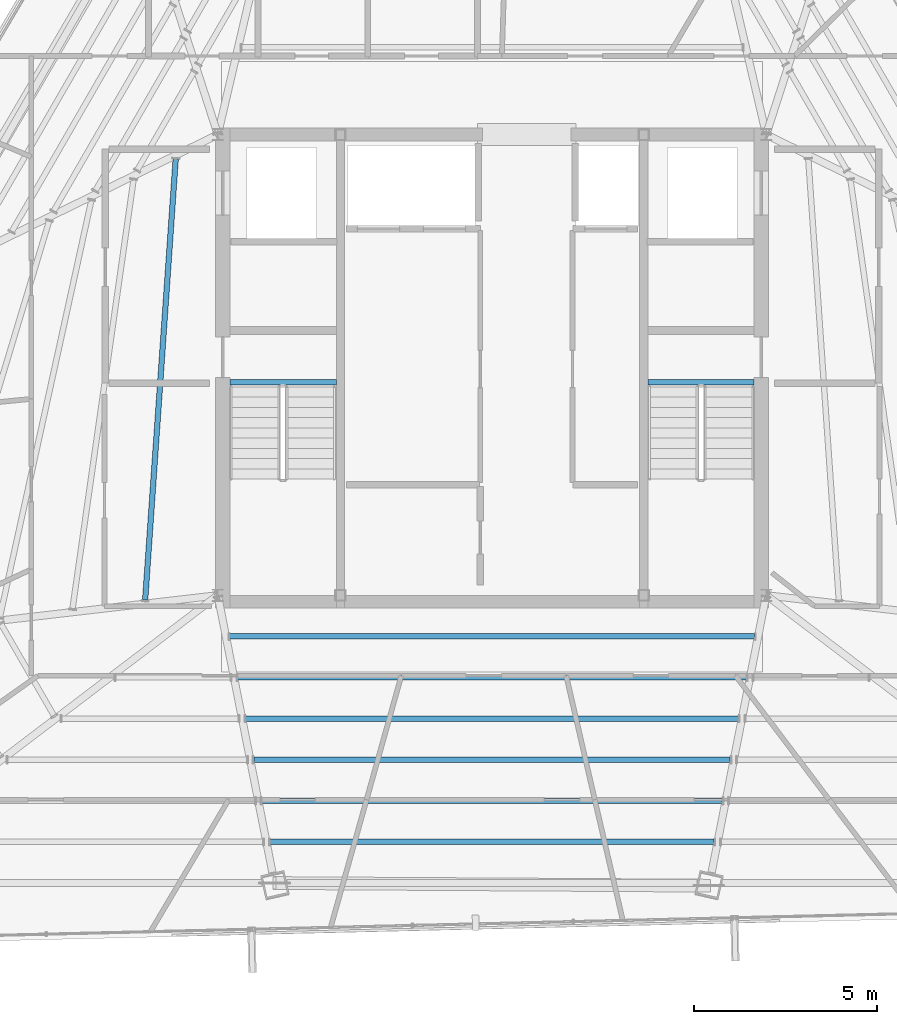
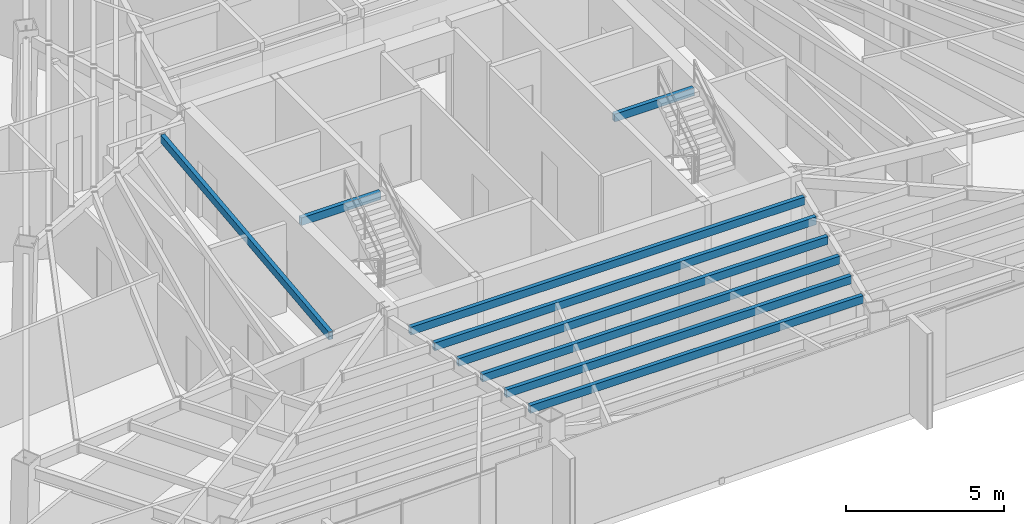
# One storey, part 14 of 45: 9 beams.
"""IFC4 building model written with IfcOpenShell, lengths in metres."""

import ifcopenshell
import ifcopenshell.guid

model = None  # the IFC model being written
_history = None  # IfcOwnerHistory: only IFC2X3 demands one
_inside = {}  # id of a spatial element -> (the spatial element, [elements in it])
_under = {}  # id of a project, library or spatial element -> (it, [spatial elements below it])
_declared = {}  # id of a project -> (the project, [libraries it declares])
_typed = {}  # id of a type object -> (the type object, [elements of that type])
_made_of = {}  # id of a material, layer set ... -> (it, [elements and type objects made of it])


def new_model(schema):
    """Start an empty IFC model of exactly this schema.

    Asked for "IFC4X3", IfcOpenShell would pick the latest addendum, in which some entities
    have other attributes; the version numbers below select the first issue.
    IFC2X3 requires an IfcOwnerHistory on every rooted entity: one is made here for all.
    """
    global model, _history
    if schema == "IFC4X3":
        model = ifcopenshell.file(schema_version=(4, 3, 0, 0))
    else:
        model = ifcopenshell.file(schema=schema)
    _inside.clear()
    _under.clear()
    _declared.clear()
    _typed.clear()
    _made_of.clear()
    _history = None
    if model.schema == "IFC2X3":
        org = make("IfcOrganization", Name="unknown")
        user = make(
            "IfcPersonAndOrganization",
            ThePerson=make("IfcPerson", FamilyName="unknown"),
            TheOrganization=org,
        )
        app = make(
            "IfcApplication",
            ApplicationDeveloper=org,
            Version="unknown",
            ApplicationFullName="unknown",
            ApplicationIdentifier="unknown",
        )
        _history = make(
            "IfcOwnerHistory",
            OwningUser=user,
            OwningApplication=app,
            ChangeAction="ADDED",
            CreationDate=0,
        )
    return model


def make(cls, **values):
    """One entity of the class cls with the attributes given. An attribute that is None is left unset."""
    return model.create_entity(
        cls, **{name: value for name, value in values.items() if value is not None}
    )


def rooted(cls, **values):
    """An entity with a GlobalId (a new one), such as an element, a storey or a relation."""
    return make(cls, GlobalId=ifcopenshell.guid.new(), OwnerHistory=_history, **values)


def si_unit(unit_type, name, prefix=None):
    """IfcSIUnit, for example si_unit("LENGTHUNIT", "METRE", prefix="MILLI")."""
    return make("IfcSIUnit", UnitType=unit_type, Prefix=prefix, Name=name)


def assignment(units):
    """IfcUnitAssignment: the units of a project."""
    return None if units is None else make("IfcUnitAssignment", Units=units)


def point(xyz):
    """IfcCartesianPoint."""
    return None if xyz is None else make("IfcCartesianPoint", Coordinates=xyz)


def direction(xyz):
    """IfcDirection."""
    return None if xyz is None else make("IfcDirection", DirectionRatios=xyz)


def frame(location, z_axis=None, x_axis=None):
    """IfcAxis2Placement3D, a coordinate frame: its origin and axes. An axis left out is left unset."""
    return make(
        "IfcAxis2Placement3D",
        Location=point(location),
        Axis=direction(z_axis),
        RefDirection=direction(x_axis),
    )


def frame_2d(location, x_axis=None):
    """IfcAxis2Placement2D, a coordinate frame in the plane: its origin and x axis."""
    return make(
        "IfcAxis2Placement2D", Location=point(location), RefDirection=direction(x_axis)
    )


def origin():
    """The frame at (0, 0, 0) with its axes left unset."""
    return frame((0.0, 0.0, 0.0))


def origin_2d():
    """The frame at (0, 0) in the plane with its x axis left unset."""
    return frame_2d((0.0, 0.0))


def place(relative_to, where):
    """IfcLocalPlacement: puts the frame where relative to a parent placement (None: the world)."""
    return make(
        "IfcLocalPlacement", PlacementRelTo=relative_to, RelativePlacement=where
    )


def context(
    kind, dimensions, precision=None, world=None, true_north=None, identifier=None
):
    """IfcGeometricRepresentationContext, for example the 3D "Model" context."""
    return make(
        "IfcGeometricRepresentationContext",
        ContextIdentifier=identifier,
        ContextType=kind,
        CoordinateSpaceDimension=dimensions,
        Precision=precision,
        WorldCoordinateSystem=world,
        TrueNorth=true_north,
    )


def subcontext(parent, identifier, kind, view, scale=None):
    """IfcGeometricRepresentationSubContext, for example "Body" below "Model"."""
    return make(
        "IfcGeometricRepresentationSubContext",
        ContextIdentifier=identifier,
        ContextType=kind,
        ParentContext=parent,
        TargetScale=scale,
        TargetView=view,
    )


def project(units=None, contexts=None):
    """IfcProject with its units and contexts."""
    return rooted(
        "IfcProject",
        Name="project",
        RepresentationContexts=contexts,
        UnitsInContext=assignment(units),
    )


def spatial(cls, under=None, at=None, **own):
    """A site, building, storey or space (cls), placed at a placement, below another one or the project."""
    s = rooted(cls, ObjectPlacement=at, **own)
    if under is not None:
        _under.setdefault(under.id(), (under, []))[1].append(s)
    return s


def profile(cls, at=None, kind="AREA", **sizes):
    """A parametric profile (cls). Its sizes go by their IFC names, for example OverallWidth=200.0."""
    return make(cls, ProfileType=kind, Position=at, **sizes)


def hollow_rectangle(**sizes):
    """IfcRectangleHollowProfileDef."""
    return profile("IfcRectangleHollowProfileDef", **sizes)


def extrude(swept, where, along, depth):
    """IfcExtrudedAreaSolid: the profile swept, set in the frame where, extruded along a direction by depth."""
    return make(
        "IfcExtrudedAreaSolid",
        SweptArea=swept,
        Position=where,
        ExtrudedDirection=direction(along),
        Depth=depth,
    )


def shape(context_of_items, identifier, shape_type, items):
    """IfcShapeRepresentation: the items that make up one representation, for example the "Body"."""
    return make(
        "IfcShapeRepresentation",
        ContextOfItems=context_of_items,
        RepresentationIdentifier=identifier,
        RepresentationType=shape_type,
        Items=items,
    )


def source(mapping_origin, context_of_items, identifier, shape_type, items):
    """IfcRepresentationMap: a shape defined once, which mapped items show again and again."""
    return make(
        "IfcRepresentationMap",
        MappingOrigin=mapping_origin,
        MappedRepresentation=shape(context_of_items, identifier, shape_type, items),
    )


def transform(
    local_origin,
    x_axis=None,
    y_axis=None,
    z_axis=None,
    scale=None,
    scale2=None,
    scale3=None,
    uniform=True,
):
    """IfcCartesianTransformationOperator3D, or its non-uniform kind. x_axis, y_axis, z_axis: its Axis1, 2, 3."""
    if uniform:
        return make(
            "IfcCartesianTransformationOperator3D",
            Axis1=direction(x_axis),
            Axis2=direction(y_axis),
            LocalOrigin=point(local_origin),
            Scale=scale,
            Axis3=direction(z_axis),
        )
    return make(
        "IfcCartesianTransformationOperator3DnonUniform",
        Axis1=direction(x_axis),
        Axis2=direction(y_axis),
        LocalOrigin=point(local_origin),
        Scale=scale,
        Axis3=direction(z_axis),
        Scale2=scale2,
        Scale3=scale3,
    )


def mapped(mapping_source, mapping_target):
    """IfcMappedItem: shows the shape of a source again, moved by a transform."""
    return make(
        "IfcMappedItem", MappingSource=mapping_source, MappingTarget=mapping_target
    )


def material(Name=None, Category=None):
    """IfcMaterial."""
    return make("IfcMaterial", Name=Name, Category=Category)


def material_profile(
    of_material, cross_section, Name=None, Category=None, Priority=None
):
    """IfcMaterialProfile: a cross section and its material."""
    return make(
        "IfcMaterialProfile",
        Name=Name,
        Material=of_material,
        Profile=cross_section,
        Priority=Priority,
        Category=Category,
    )


def profile_set(profiles, Name=None, composite=None):
    """IfcMaterialProfileSet."""
    return make(
        "IfcMaterialProfileSet",
        Name=Name,
        MaterialProfiles=profiles,
        CompositeProfile=composite,
    )


def made_of(thing, what):
    """Note that an element or type object is made of a material, layer set ...; save() writes the relation."""
    if what is not None:
        _made_of.setdefault(what.id(), (what, []))[1].append(thing)
    return thing


def type_object(cls, material=None, **own):
    """A type object (cls), such as IfcWallType, which elements share."""
    return made_of(rooted(cls, **own), material)


def type_shapes(of_type, sources):
    """Give a type object the sources (RepresentationMaps) that its elements show as mapped items."""
    of_type.RepresentationMaps = sources


def element(
    cls,
    number,
    at=None,
    inside=None,
    cuts=None,
    type_object=None,
    material=None,
    context=None,
    identifier="Body",
    shape_type=None,
    held_by="IfcProductDefinitionShape",
    body=None,
    shapes=None,
    **own,
):
    """One element of the class cls, such as IfcWall. Its Tag is "e" and its number.

    at: its placement. inside: the storey or other place that contains it. cuts: it is an
    opening in that element (IfcRelVoidsElement). A single representation is given by context,
    identifier, shape_type and body (its items); several are given by shapes. held_by: the class
    of the entity that holds the representations. save() writes the other relations.
    """
    e = rooted(cls, Tag="e%d" % number, ObjectPlacement=at, **own)
    if body is not None:
        shapes = [shape(context, identifier, shape_type, body)]
    if shapes is not None:
        e.Representation = make(held_by, Representations=shapes)
    if inside is not None:
        _inside.setdefault(inside.id(), (inside, []))[1].append(e)
    if cuts is not None:
        rooted(
            "IfcRelVoidsElement", RelatingBuildingElement=cuts, RelatedOpeningElement=e
        )
    if type_object is not None:
        _typed.setdefault(type_object.id(), (type_object, []))[1].append(e)
    return made_of(e, material)


def aggregate(whole, parts):
    """IfcRelAggregates: a whole, such as a stair, and the parts it consists of."""
    return rooted("IfcRelAggregates", RelatingObject=whole, RelatedObjects=parts)


def save(model, path):
    """Write the relations noted so far, then the file.

    IfcRelAggregates (storeys below a building ...), IfcRelContainedInSpatialStructure (elements
    in a storey), IfcRelDefinesByType, IfcRelAssociatesMaterial and IfcRelDeclares: one each for
    every whole, place, type object, material and project.
    """
    for whole, parts in _under.values():
        aggregate(whole, parts)
    for where, things in _inside.values():
        rooted(
            "IfcRelContainedInSpatialStructure",
            RelatedElements=things,
            RelatingStructure=where,
        )
    for kind, things in _typed.values():
        rooted("IfcRelDefinesByType", RelatedObjects=things, RelatingType=kind)
    for what, things in _made_of.values():
        rooted("IfcRelAssociatesMaterial", RelatedObjects=things, RelatingMaterial=what)
    for by, libraries in _declared.values():
        rooted("IfcRelDeclares", RelatingContext=by, RelatedDefinitions=libraries)
    model.write(path)


model = new_model("IFC4")

# Units and contexts
model_context = context("Model", 3, precision=1e-05, world=origin(), true_north=direction((0.0, 1.0)))
body_context = subcontext(model_context, "Body", "Model", "MODEL_VIEW")
ifc_project = project(units=[si_unit("LENGTHUNIT", "METRE"), si_unit("AREAUNIT", "SQUARE_METRE"), si_unit("VOLUMEUNIT", "CUBIC_METRE"), si_unit("PLANEANGLEUNIT", "RADIAN"), si_unit("MASSUNIT", "GRAM", prefix="KILO")], contexts=[model_context])

# Site, building, storey
site_placement = place(None, origin())
site = spatial("IfcSite", under=ifc_project, at=site_placement, CompositionType="ELEMENT")
building_placement = place(site_placement, origin())
building = spatial("IfcBuilding", under=site, at=building_placement, Name="Caelisora Broadcast Tower", CompositionType="ELEMENT")
storey_placement = place(building_placement, frame((0.0, 0.0, 262.699951171875)))
storey = spatial("IfcBuildingStorey", under=building, at=storey_placement, Name="L69", CompositionType="ELEMENT", Elevation=262.699951171875)

# Beams
ifc_material = material(Name="Steel Grade 350 (AS/NZS 1163 C350L0)", Category="steel")
ifc_material_profile = material_profile(ifc_material, hollow_rectangle(XDim=0.14990234375, YDim=0.300048828125, WallThickness=0.010009765625, at=origin_2d()), Name="Steel Grade 350 (AS/NZS 1163 C350L0)")
ifc_profile_set = profile_set([ifc_material_profile], Name="Steel Grade 350 (AS/NZS 1163 C350L0)")
beam_type = type_object("IfcBeamType", Name="SB05", PredefinedType="JOIST", material=ifc_profile_set)
shared_shape_1 = source(origin(), body_context, "Body", "SweptSolid", [
    extrude(hollow_rectangle(XDim=0.14990234375, YDim=0.300048828125, WallThickness=0.010009765625, at=origin_2d()), origin(), (0.0, 0.0, 1.0), 2.89990234375),
])
for number, where, z_axis, x_axis, name in (
    (1, (30.840087890625, 23.219970703125, 3.25), (1.0, 0.0, 0.0), (0.0, 1.0, 0.0), "L69 beam SB05"),
    (2, (42.260009765625, 23.219970703125, 3.25), (1.0, 0.0, 0.0), (0.0, 1.0, 0.0), "L69 beam SB05"),
):
    element("IfcBeam", number, at=place(storey_placement, frame(where, z_axis=z_axis, x_axis=x_axis)), inside=storey, type_object=beam_type, Name=name, PredefinedType="JOIST", context=body_context, shape_type="MappedRepresentation", body=[
        mapped(shared_shape_1, transform((0.0, 0.0, 0.0), scale=1.0)),
    ])
shared_shape_2 = source(origin(), body_context, "Body", "SweptSolid", [
    extrude(hollow_rectangle(XDim=0.14990234375, YDim=0.300048828125, WallThickness=0.010009765625, at=origin_2d()), origin(), (0.0, 0.0, 1.0), 12.090087890625),
])
beam_1_placement = place(storey_placement, frame((29.348388671875, 29.328125, 3.25), z_axis=(-0.069081378191, -0.997611028, 0.0), x_axis=(0.997611028, -0.069081378191, 0.0)))
element("IfcBeam", 3, at=beam_1_placement, inside=storey, type_object=beam_type, Name="L69 beam SB05", PredefinedType="JOIST", context=body_context, shape_type="MappedRepresentation", body=[
    mapped(shared_shape_2, transform((0.0, 0.0, 0.0), scale=1.0)),
])
shared_shape_3 = source(origin(), body_context, "Body", "SweptSolid", [
    extrude(hollow_rectangle(XDim=0.14990234375, YDim=0.300048828125, WallThickness=0.010009765625, at=origin_2d()), origin(), (0.0, 0.0, 1.0), 14.359375),
])
beam_2_placement = place(storey_placement, frame((30.8203125, 16.275634765625, 3.25), z_axis=(1.0, 0.0, 0.0), x_axis=(0.0, 1.0, 0.0)))
element("IfcBeam", 4, at=beam_2_placement, inside=storey, type_object=beam_type, Name="L69 beam SB05", PredefinedType="JOIST", context=body_context, shape_type="MappedRepresentation", body=[
    mapped(shared_shape_3, transform((0.0, 0.0, 0.0), scale=1.0)),
])
shared_shape_4 = source(origin(), body_context, "Body", "SweptSolid", [
    extrude(hollow_rectangle(XDim=0.14990234375, YDim=0.300048828125, WallThickness=0.010009765625, at=origin_2d()), origin(), (0.0, 0.0, 1.0), 13.916015625),
])
beam_3_placement = place(storey_placement, frame((31.0419921875, 15.151123046875, 3.25), z_axis=(1.0, 0.0, 0.0), x_axis=(0.0, 1.0, 0.0)))
element("IfcBeam", 5, at=beam_3_placement, inside=storey, type_object=beam_type, Name="L69 beam SB05", PredefinedType="JOIST", context=body_context, shape_type="MappedRepresentation", body=[
    mapped(shared_shape_4, transform((0.0, 0.0, 0.0), scale=1.0)),
])
shared_shape_5 = source(origin(), body_context, "Body", "SweptSolid", [
    extrude(hollow_rectangle(XDim=0.14990234375, YDim=0.300048828125, WallThickness=0.010009765625, at=origin_2d()), origin(), (0.0, 0.0, 1.0), 13.47314453125),
])
beam_4_placement = place(storey_placement, frame((31.263427734375, 14.026611328125, 3.25), z_axis=(1.0, 0.0, 0.0), x_axis=(0.0, 1.0, 0.0)))
element("IfcBeam", 6, at=beam_4_placement, inside=storey, type_object=beam_type, Name="L69 beam SB05", PredefinedType="JOIST", context=body_context, shape_type="MappedRepresentation", body=[
    mapped(shared_shape_5, transform((0.0, 0.0, 0.0), scale=1.0)),
])
shared_shape_6 = source(origin(), body_context, "Body", "SweptSolid", [
    extrude(hollow_rectangle(XDim=0.14990234375, YDim=0.300048828125, WallThickness=0.010009765625, at=origin_2d()), origin(), (0.0, 0.0, 1.0), 13.02978515625),
])
beam_5_placement = place(storey_placement, frame((31.485107421875, 12.90234375, 3.25), z_axis=(1.0, 0.0, 0.0), x_axis=(0.0, 1.0, 0.0)))
element("IfcBeam", 7, at=beam_5_placement, inside=storey, type_object=beam_type, Name="L69 beam SB05", PredefinedType="JOIST", context=body_context, shape_type="MappedRepresentation", body=[
    mapped(shared_shape_6, transform((0.0, 0.0, 0.0), scale=1.0)),
])
shared_shape_7 = source(origin(), body_context, "Body", "SweptSolid", [
    extrude(hollow_rectangle(XDim=0.14990234375, YDim=0.300048828125, WallThickness=0.010009765625, at=origin_2d()), origin(), (0.0, 0.0, 1.0), 12.5869140625),
])
beam_6_placement = place(storey_placement, frame((31.70654296875, 11.77783203125, 3.25), z_axis=(1.0, 0.0, 0.0), x_axis=(0.0, 1.0, 0.0)))
element("IfcBeam", 8, at=beam_6_placement, inside=storey, type_object=beam_type, Name="L69 beam SB05", PredefinedType="JOIST", context=body_context, shape_type="MappedRepresentation", body=[
    mapped(shared_shape_7, transform((0.0, 0.0, 0.0), scale=1.0)),
])
shared_shape_8 = source(origin(), body_context, "Body", "SweptSolid", [
    extrude(hollow_rectangle(XDim=0.14990234375, YDim=0.300048828125, WallThickness=0.010009765625, at=origin_2d()), origin(), (0.0, 0.0, 1.0), 12.14404296875),
])
type_shapes(beam_type, [shared_shape_1, shared_shape_2, shared_shape_3, shared_shape_4, shared_shape_5, shared_shape_6, shared_shape_7, shared_shape_8])
beam_7_placement = place(storey_placement, frame((31.927978515625, 10.6533203125, 3.25), z_axis=(1.0, 0.0, 0.0), x_axis=(0.0, 1.0, 0.0)))
element("IfcBeam", 9, at=beam_7_placement, inside=storey, type_object=beam_type, Name="L69 beam SB05", PredefinedType="JOIST", context=body_context, shape_type="MappedRepresentation", body=[
    mapped(shared_shape_8, transform((0.0, 0.0, 0.0), scale=1.0)),
])

save(model, "model.ifc")
